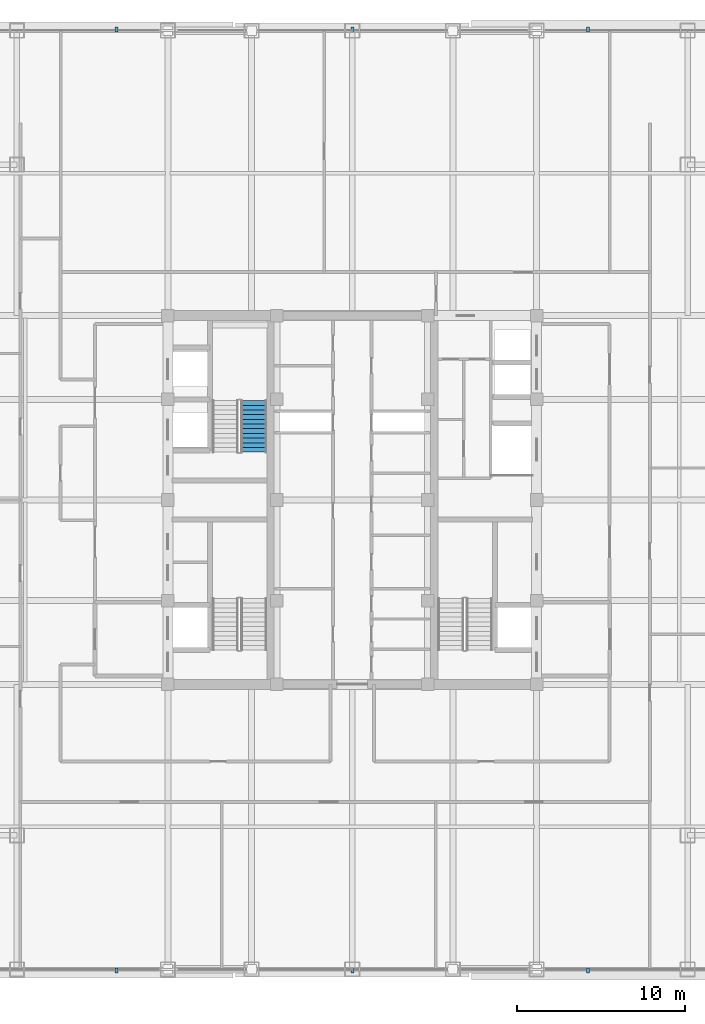
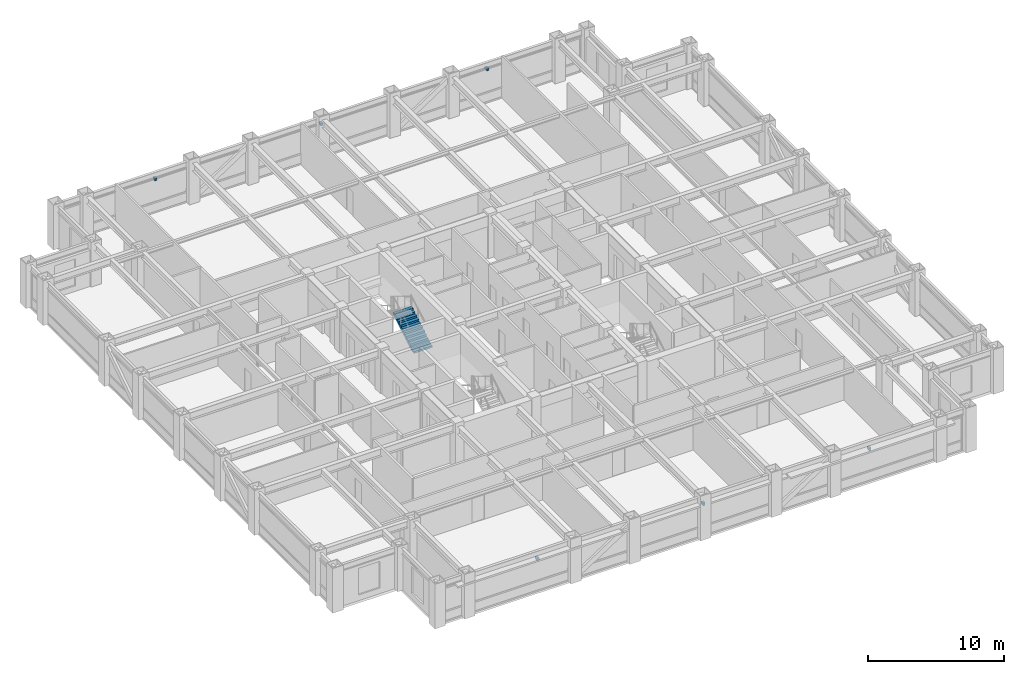
# One storey, part 22 of 27: 6 discrete accessories, 1 stair flight, 1 element without a shape of its own.
"""IFC4 building model written with IfcOpenShell, lengths in metres."""

import ifcopenshell
import ifcopenshell.guid

model = None  # the IFC model being written
_history = None  # IfcOwnerHistory: only IFC2X3 demands one
_inside = {}  # id of a spatial element -> (the spatial element, [elements in it])
_under = {}  # id of a project, library or spatial element -> (it, [spatial elements below it])
_declared = {}  # id of a project -> (the project, [libraries it declares])
_typed = {}  # id of a type object -> (the type object, [elements of that type])
_made_of = {}  # id of a material, layer set ... -> (it, [elements and type objects made of it])


def new_model(schema):
    """Start an empty IFC model of exactly this schema.

    Asked for "IFC4X3", IfcOpenShell would pick the latest addendum, in which some entities
    have other attributes; the version numbers below select the first issue.
    IFC2X3 requires an IfcOwnerHistory on every rooted entity: one is made here for all.
    """
    global model, _history
    if schema == "IFC4X3":
        model = ifcopenshell.file(schema_version=(4, 3, 0, 0))
    else:
        model = ifcopenshell.file(schema=schema)
    _inside.clear()
    _under.clear()
    _declared.clear()
    _typed.clear()
    _made_of.clear()
    _history = None
    if model.schema == "IFC2X3":
        org = make("IfcOrganization", Name="unknown")
        user = make(
            "IfcPersonAndOrganization",
            ThePerson=make("IfcPerson", FamilyName="unknown"),
            TheOrganization=org,
        )
        app = make(
            "IfcApplication",
            ApplicationDeveloper=org,
            Version="unknown",
            ApplicationFullName="unknown",
            ApplicationIdentifier="unknown",
        )
        _history = make(
            "IfcOwnerHistory",
            OwningUser=user,
            OwningApplication=app,
            ChangeAction="ADDED",
            CreationDate=0,
        )
    return model


def make(cls, **values):
    """One entity of the class cls with the attributes given. An attribute that is None is left unset."""
    return model.create_entity(
        cls, **{name: value for name, value in values.items() if value is not None}
    )


def rooted(cls, **values):
    """An entity with a GlobalId (a new one), such as an element, a storey or a relation."""
    return make(cls, GlobalId=ifcopenshell.guid.new(), OwnerHistory=_history, **values)


def si_unit(unit_type, name, prefix=None):
    """IfcSIUnit, for example si_unit("LENGTHUNIT", "METRE", prefix="MILLI")."""
    return make("IfcSIUnit", UnitType=unit_type, Prefix=prefix, Name=name)


def assignment(units):
    """IfcUnitAssignment: the units of a project."""
    return None if units is None else make("IfcUnitAssignment", Units=units)


def point(xyz):
    """IfcCartesianPoint."""
    return None if xyz is None else make("IfcCartesianPoint", Coordinates=xyz)


def direction(xyz):
    """IfcDirection."""
    return None if xyz is None else make("IfcDirection", DirectionRatios=xyz)


def frame(location, z_axis=None, x_axis=None):
    """IfcAxis2Placement3D, a coordinate frame: its origin and axes. An axis left out is left unset."""
    return make(
        "IfcAxis2Placement3D",
        Location=point(location),
        Axis=direction(z_axis),
        RefDirection=direction(x_axis),
    )


def frame_2d(location, x_axis=None):
    """IfcAxis2Placement2D, a coordinate frame in the plane: its origin and x axis."""
    return make(
        "IfcAxis2Placement2D", Location=point(location), RefDirection=direction(x_axis)
    )


def origin():
    """The frame at (0, 0, 0) with its axes left unset."""
    return frame((0.0, 0.0, 0.0))


def origin_2d():
    """The frame at (0, 0) in the plane with its x axis left unset."""
    return frame_2d((0.0, 0.0))


def place(relative_to, where):
    """IfcLocalPlacement: puts the frame where relative to a parent placement (None: the world)."""
    return make(
        "IfcLocalPlacement", PlacementRelTo=relative_to, RelativePlacement=where
    )


def context(
    kind, dimensions, precision=None, world=None, true_north=None, identifier=None
):
    """IfcGeometricRepresentationContext, for example the 3D "Model" context."""
    return make(
        "IfcGeometricRepresentationContext",
        ContextIdentifier=identifier,
        ContextType=kind,
        CoordinateSpaceDimension=dimensions,
        Precision=precision,
        WorldCoordinateSystem=world,
        TrueNorth=true_north,
    )


def subcontext(parent, identifier, kind, view, scale=None):
    """IfcGeometricRepresentationSubContext, for example "Body" below "Model"."""
    return make(
        "IfcGeometricRepresentationSubContext",
        ContextIdentifier=identifier,
        ContextType=kind,
        ParentContext=parent,
        TargetScale=scale,
        TargetView=view,
    )


def project(units=None, contexts=None):
    """IfcProject with its units and contexts."""
    return rooted(
        "IfcProject",
        Name="project",
        RepresentationContexts=contexts,
        UnitsInContext=assignment(units),
    )


def spatial(cls, under=None, at=None, **own):
    """A site, building, storey or space (cls), placed at a placement, below another one or the project."""
    s = rooted(cls, ObjectPlacement=at, **own)
    if under is not None:
        _under.setdefault(under.id(), (under, []))[1].append(s)
    return s


def polyline(points):
    """IfcPolyline through the points."""
    return make("IfcPolyline", Points=[point(p) for p in points])


def profile(cls, at=None, kind="AREA", **sizes):
    """A parametric profile (cls). Its sizes go by their IFC names, for example OverallWidth=200.0."""
    return make(cls, ProfileType=kind, Position=at, **sizes)


def rectangle(**sizes):
    """IfcRectangleProfileDef."""
    return profile("IfcRectangleProfileDef", **sizes)


def outline(outer, holes=None, kind="AREA"):
    """IfcArbitraryClosedProfileDef: a profile drawn as a closed curve; with holes, ...WithVoids."""
    if holes is None:
        return make("IfcArbitraryClosedProfileDef", ProfileType=kind, OuterCurve=outer)
    return make(
        "IfcArbitraryProfileDefWithVoids",
        ProfileType=kind,
        OuterCurve=outer,
        InnerCurves=holes,
    )


def extrude(swept, where, along, depth):
    """IfcExtrudedAreaSolid: the profile swept, set in the frame where, extruded along a direction by depth."""
    return make(
        "IfcExtrudedAreaSolid",
        SweptArea=swept,
        Position=where,
        ExtrudedDirection=direction(along),
        Depth=depth,
    )


def shape(context_of_items, identifier, shape_type, items):
    """IfcShapeRepresentation: the items that make up one representation, for example the "Body"."""
    return make(
        "IfcShapeRepresentation",
        ContextOfItems=context_of_items,
        RepresentationIdentifier=identifier,
        RepresentationType=shape_type,
        Items=items,
    )


def source(mapping_origin, context_of_items, identifier, shape_type, items):
    """IfcRepresentationMap: a shape defined once, which mapped items show again and again."""
    return make(
        "IfcRepresentationMap",
        MappingOrigin=mapping_origin,
        MappedRepresentation=shape(context_of_items, identifier, shape_type, items),
    )


def transform(
    local_origin,
    x_axis=None,
    y_axis=None,
    z_axis=None,
    scale=None,
    scale2=None,
    scale3=None,
    uniform=True,
):
    """IfcCartesianTransformationOperator3D, or its non-uniform kind. x_axis, y_axis, z_axis: its Axis1, 2, 3."""
    if uniform:
        return make(
            "IfcCartesianTransformationOperator3D",
            Axis1=direction(x_axis),
            Axis2=direction(y_axis),
            LocalOrigin=point(local_origin),
            Scale=scale,
            Axis3=direction(z_axis),
        )
    return make(
        "IfcCartesianTransformationOperator3DnonUniform",
        Axis1=direction(x_axis),
        Axis2=direction(y_axis),
        LocalOrigin=point(local_origin),
        Scale=scale,
        Axis3=direction(z_axis),
        Scale2=scale2,
        Scale3=scale3,
    )


def mapped(mapping_source, mapping_target):
    """IfcMappedItem: shows the shape of a source again, moved by a transform."""
    return make(
        "IfcMappedItem", MappingSource=mapping_source, MappingTarget=mapping_target
    )


def material(Name=None, Category=None):
    """IfcMaterial."""
    return make("IfcMaterial", Name=Name, Category=Category)


def made_of(thing, what):
    """Note that an element or type object is made of a material, layer set ...; save() writes the relation."""
    if what is not None:
        _made_of.setdefault(what.id(), (what, []))[1].append(thing)
    return thing


def type_object(cls, material=None, **own):
    """A type object (cls), such as IfcWallType, which elements share."""
    return made_of(rooted(cls, **own), material)


def element(
    cls,
    number,
    at=None,
    inside=None,
    cuts=None,
    type_object=None,
    material=None,
    context=None,
    identifier="Body",
    shape_type=None,
    held_by="IfcProductDefinitionShape",
    body=None,
    shapes=None,
    **own,
):
    """One element of the class cls, such as IfcWall. Its Tag is "e" and its number.

    at: its placement. inside: the storey or other place that contains it. cuts: it is an
    opening in that element (IfcRelVoidsElement). A single representation is given by context,
    identifier, shape_type and body (its items); several are given by shapes. held_by: the class
    of the entity that holds the representations. save() writes the other relations.
    """
    e = rooted(cls, Tag="e%d" % number, ObjectPlacement=at, **own)
    if body is not None:
        shapes = [shape(context, identifier, shape_type, body)]
    if shapes is not None:
        e.Representation = make(held_by, Representations=shapes)
    if inside is not None:
        _inside.setdefault(inside.id(), (inside, []))[1].append(e)
    if cuts is not None:
        rooted(
            "IfcRelVoidsElement", RelatingBuildingElement=cuts, RelatedOpeningElement=e
        )
    if type_object is not None:
        _typed.setdefault(type_object.id(), (type_object, []))[1].append(e)
    return made_of(e, material)


def aggregate(whole, parts):
    """IfcRelAggregates: a whole, such as a stair, and the parts it consists of."""
    return rooted("IfcRelAggregates", RelatingObject=whole, RelatedObjects=parts)


def save(model, path):
    """Write the relations noted so far, then the file.

    IfcRelAggregates (storeys below a building ...), IfcRelContainedInSpatialStructure (elements
    in a storey), IfcRelDefinesByType, IfcRelAssociatesMaterial and IfcRelDeclares: one each for
    every whole, place, type object, material and project.
    """
    for whole, parts in _under.values():
        aggregate(whole, parts)
    for where, things in _inside.values():
        rooted(
            "IfcRelContainedInSpatialStructure",
            RelatedElements=things,
            RelatingStructure=where,
        )
    for kind, things in _typed.values():
        rooted("IfcRelDefinesByType", RelatedObjects=things, RelatingType=kind)
    for what, things in _made_of.values():
        rooted("IfcRelAssociatesMaterial", RelatedObjects=things, RelatingMaterial=what)
    for by, libraries in _declared.values():
        rooted("IfcRelDeclares", RelatingContext=by, RelatedDefinitions=libraries)
    model.write(path)


model = new_model("IFC4")

# Units and contexts
model_context = context("Model", 3, precision=1e-05, world=origin(), true_north=direction((0.0, 1.0)))
body_context = subcontext(model_context, "Body", "Model", "MODEL_VIEW")
ifc_project = project(units=[si_unit("LENGTHUNIT", "METRE"), si_unit("AREAUNIT", "SQUARE_METRE"), si_unit("VOLUMEUNIT", "CUBIC_METRE"), si_unit("PLANEANGLEUNIT", "RADIAN"), si_unit("MASSUNIT", "GRAM", prefix="KILO")], contexts=[model_context])

# Site, building, storey
site_placement = place(None, origin())
site = spatial("IfcSite", under=ifc_project, at=site_placement, CompositionType="ELEMENT")
building_placement = place(site_placement, origin())
building = spatial("IfcBuilding", under=site, at=building_placement, Name="Khorayat Bourse Tower", CompositionType="ELEMENT")
storey_placement = place(building_placement, frame((0.0, 0.0, 317.5)))
storey = spatial("IfcBuildingStorey", under=building, at=storey_placement, Name="L75", CompositionType="ELEMENT", Elevation=317.5)

# Stair, stair flight
ifc_material_1 = material(Name="Concrete C40/50", Category="concrete")
stair_type = type_object("IfcStairType", Name="STR-CORE-1550", PredefinedType="HALF_TURN_STAIR", material=ifc_material_1)
stair_placement = place(storey_placement, origin())
stair = element("IfcStair", 1, at=stair_placement, inside=storey, type_object=stair_type, Name="L75 Exit Stair ST-2", PredefinedType="HALF_TURN_STAIR")
stair_flight_type = type_object("IfcStairFlightType", Name="FLT-CORE-1550", PredefinedType="STRAIGHT", material=ifc_material_1)
shared_shape_1 = source(origin(), body_context, "Body", "SweptSolid", [
    extrude(outline(polyline([(0.0, 0.0), (0.0, 0.166748046875), (0.280029296875, 0.166748046875), (0.280029296875, 0.333251953125), (0.56005859375, 0.333251953125), (0.56005859375, 0.5), (0.840087890625, 0.5), (0.840087890625, 0.666748046875), (1.1201171875, 0.666748046875), (1.1201171875, 0.833251953125), (1.39990234375, 0.833251953125), (1.39990234375, 1.0), (1.679931640625, 1.0), (1.679931640625, 1.166748046875), (1.9599609375, 1.166748046875), (1.9599609375, 1.333251953125), (2.239990234375, 1.333251953125), (2.239990234375, 1.5), (2.52001953125, 1.5), (2.52001953125, 1.666748046875), (2.800048828125, 1.666748046875), (2.800048828125, 1.833251953125), (3.080078125, 1.833251953125), (3.080078125, 2.0), (3.080078125, 1.6240234375), (0.351806640625, 0.0), (0.0, 0.0)])), frame((0.0, 0.77490234375, 0.0), z_axis=(0.0, -1.0, 0.0), x_axis=(1.0, 0.0, 0.0)), (0.0, 0.0, 1.0), 1.550048828125),
])
stair_flight_placement = place(storey_placement, frame((-5.875, 2.85009765625, 0.0), z_axis=(0.0, 0.0, 1.0), x_axis=(0.0, 1.0, 0.0)))
stair_flight = element("IfcStairFlight", 2, at=stair_flight_placement, type_object=stair_flight_type, Name="ST-2 flight 1", NumberOfRisers=12, NumberOfTreads=11, PredefinedType="STRAIGHT", RiserHeight=0.166666667, TreadLength=0.28, context=body_context, shape_type="MappedRepresentation", body=[
    mapped(shared_shape_1, transform((0.0, 0.0, 0.0), scale=1.0)),
])
aggregate(stair, [stair_flight])

# Discrete accessories
ifc_material_2 = material(Name="Steel EN 10025-2 S355J2", Category="steel")
discrete_accessory_type = type_object("IfcDiscreteAccessoryType", Name="ACC-SHADE-BRACKET", PredefinedType="BRACKET", material=ifc_material_2)
shared_shape_2 = source(origin(), body_context, "Body", "SweptSolid", [
    extrude(rectangle(XDim=0.179931640625, YDim=0.300048828125, at=origin_2d()), origin(), (0.0, 0.0, 1.0), 0.239990234375),
])
for number, where, z_axis, x_axis, name in (
    (3, (-14.066650390625, -28.06005859375, 2.8798828125), (0.0, 0.0, 1.0), (1.0, 0.0, 0.0), "L75 Sunshade Support Bracket S-1"),
    (4, (0.0, -28.06005859375, 2.8798828125), (0.0, 0.0, 1.0), (1.0, 0.0, 0.0), "L75 Sunshade Support Bracket S-2"),
    (5, (14.066650390625, -28.06005859375, 2.8798828125), (0.0, 0.0, 1.0), (1.0, 0.0, 0.0), "L75 Sunshade Support Bracket S-3"),
    (6, (-14.066650390625, 28.06005859375, 2.8798828125), (0.0, 0.0, 1.0), (1.0, 0.0, 0.0), "L75 Sunshade Support Bracket N-1"),
    (7, (0.0, 28.06005859375, 2.8798828125), (0.0, 0.0, 1.0), (1.0, 0.0, 0.0), "L75 Sunshade Support Bracket N-2"),
    (8, (14.066650390625, 28.06005859375, 2.8798828125), (0.0, 0.0, 1.0), (1.0, 0.0, 0.0), "L75 Sunshade Support Bracket N-3"),
):
    element("IfcDiscreteAccessory", number, at=place(storey_placement, frame(where, z_axis=z_axis, x_axis=x_axis)), inside=storey, type_object=discrete_accessory_type, Name=name, PredefinedType="BRACKET", context=body_context, shape_type="MappedRepresentation", body=[
        mapped(shared_shape_2, transform((0.0, 0.0, 0.0), scale=1.0)),
    ])

save(model, "model.ifc")
